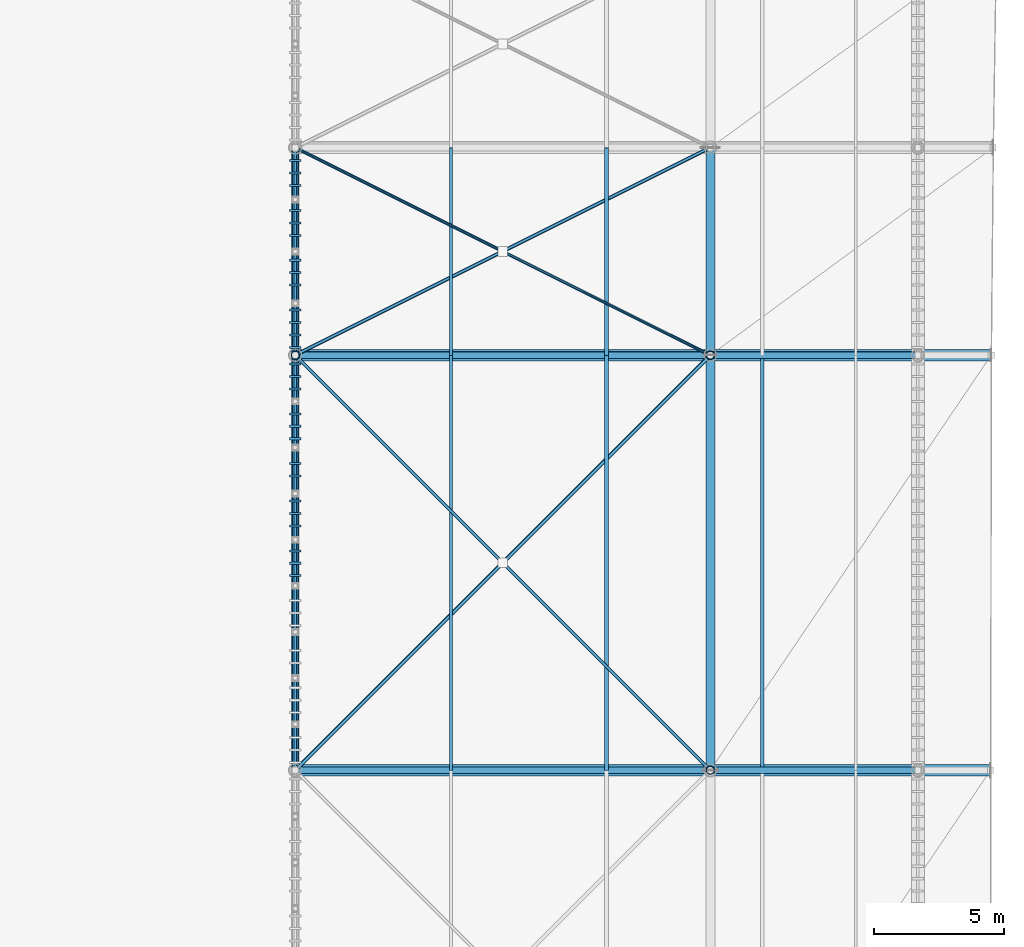
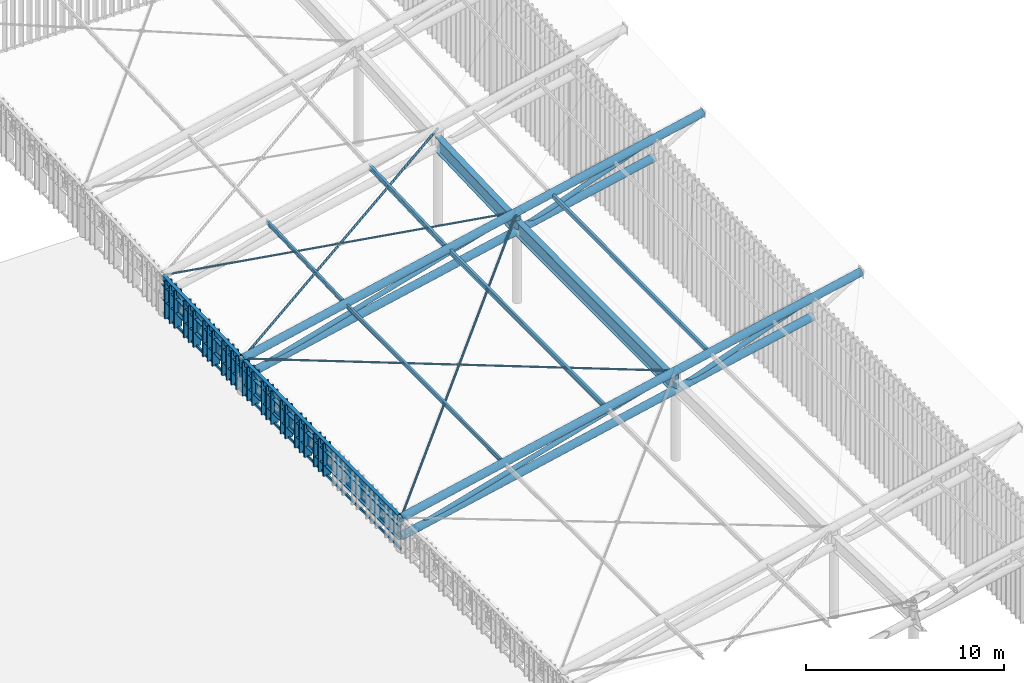
# One storey, part 8 of 25: 51 members, 6 beams.
"""IFC4 building model written with IfcOpenShell, lengths in metres."""

from ifc_helpers import new_model, si_unit, direction, frame, origin, origin_2d, place, context, subcontext, project, spatial, rectangle, hollow_rectangle, hollow_circle, i_section, extrude, material, material_profile, profile_set, type_object, element, save


model = new_model("IFC4")

# Units and contexts
model_context = context("Model", 3, precision=1e-05, world=origin(), true_north=direction((0.0, 1.0)))
body_context = subcontext(model_context, "Body", "Model", "MODEL_VIEW")
ifc_project = project(units=[si_unit("LENGTHUNIT", "METRE"), si_unit("AREAUNIT", "SQUARE_METRE"), si_unit("VOLUMEUNIT", "CUBIC_METRE"), si_unit("PLANEANGLEUNIT", "RADIAN"), si_unit("MASSUNIT", "GRAM", prefix="KILO")], contexts=[model_context])

# Site, building, storey
site_placement = place(None, origin())
site = spatial("IfcSite", under=ifc_project, at=site_placement, CompositionType="ELEMENT")
building_placement = place(site_placement, origin())
building = spatial("IfcBuilding", under=site, at=building_placement, Name="Haebicheon Civic Stadium", CompositionType="ELEMENT")
storey_placement = place(building_placement, frame((0.0, 0.0, 31.199951171875)))
storey = spatial("IfcBuildingStorey", under=building, at=storey_placement, Name="RF", CompositionType="ELEMENT", Elevation=31.199951171875)

# Members
ifc_material_1 = material(Name="White painted steel SM490", Category="steel")
ifc_material_profile_1 = material_profile(ifc_material_1, hollow_circle(Radius=0.05712890625, WallThickness=0.006103515625, at=origin_2d()), Name="CHS-114.3x6.0")
ifc_profile_set_1 = profile_set([ifc_material_profile_1], Name="White painted steel SM490")
member_type_1 = type_object("IfcMemberType", Name="BRC-CHS114", PredefinedType="BRACE", material=ifc_profile_set_1)
for number, where, z_axis, x_axis, name in (
    (1, (48.0, 104.0, 2.0771484375), (0.69951508306, -0.69951508306, 0.146141360135), (0.707106781187, 0.707106781187, 0.0), "BR114 diagonal brace CAN-WEST canopy bay 5 B1"),
    (2, (56.050048828125, 95.949951171875, 3.760009765625), (0.699512886856, -0.699512886856, 0.146162383139), (0.707106781187, 0.707106781187, 0.0), "BR114 diagonal brace CAN-WEST canopy bay 5 B2"),
):
    element("IfcMember", number, at=place(storey_placement, frame(where, z_axis=z_axis, x_axis=x_axis)), inside=storey, type_object=member_type_1, material=ifc_profile_set_1, Name=name, PredefinedType="BRACE", context=body_context, shape_type="SweptSolid", body=[
        extrude(hollow_circle(Radius=0.05712890625, WallThickness=0.006103515625, at=origin_2d()), origin(), (0.0, 0.0, 1.0), 11.364990234375),
    ])
member_1_placement = place(storey_placement, frame((48.0, 112.0, 2.365966796875), z_axis=(0.880872313649, -0.440381965971, 0.173573301791), x_axis=(0.447169574081, 0.894449200355, 0.0)))
element("IfcMember", 3, at=member_1_placement, inside=storey, type_object=member_type_1, material=ifc_profile_set_1, Name="BR114 diagonal brace CAN-WEST canopy bay 6 B1", PredefinedType="BRACE", context=body_context, shape_type="SweptSolid", body=[
    extrude(hollow_circle(Radius=0.05712890625, WallThickness=0.006103515625, at=origin_2d()), origin(), (0.0, 0.0, 1.0), 9.010498046875),
])
member_2_placement = place(storey_placement, frame((56.06298828125, 107.968017578125, 3.9541015625), z_axis=(0.880888880062, -0.440390248159, 0.17346818241), x_axis=(0.447169574081, 0.894449200355, 0.0)))
element("IfcMember", 4, at=member_2_placement, inside=storey, type_object=member_type_1, material=ifc_profile_set_1, Name="BR114 diagonal brace CAN-WEST canopy bay 6 B2", PredefinedType="BRACE", context=body_context, shape_type="SweptSolid", body=[
    extrude(hollow_circle(Radius=0.05712890625, WallThickness=0.006103515625, at=origin_2d()), origin(), (0.0, 0.0, 1.0), 9.01025390625),
])
ifc_material_2 = material(Name="White painted steel SM490", Category="steel")
ifc_material_profile_2 = material_profile(ifc_material_2, hollow_circle(Radius=0.06982421875, WallThickness=0.006591796875, at=origin_2d()), Name="CHS-139.8x6.6")
ifc_profile_set_2 = profile_set([ifc_material_profile_2], Name="White painted steel SM490")
member_type_2 = type_object("IfcMemberType", Name="BRC-CHS139", PredefinedType="BRACE", material=ifc_profile_set_2)
member_3_placement = place(storey_placement, frame((48.0, 88.0, 1.98095703125), z_axis=(0.698627188304, 0.698627188304, 0.154402407767), x_axis=(-0.707106781187, 0.707106781187, 0.0)))
element("IfcMember", 5, at=member_3_placement, inside=storey, type_object=member_type_2, material=ifc_profile_set_2, Name="BR139 diagonal brace CAN-WEST canopy bay 5 A", PredefinedType="BRACE", context=body_context, shape_type="SweptSolid", body=[
    extrude(hollow_circle(Radius=0.06982421875, WallThickness=0.006591796875, at=origin_2d()), origin(), (0.0, 0.0, 1.0), 22.902099609375),
])
member_4_placement = place(storey_placement, frame((48.0, 104.0, 2.0771484375), z_axis=(0.875604965447, 0.437802482723, 0.20407089603), x_axis=(-0.4472135955, 0.894427191, 0.0)))
element("IfcMember", 6, at=member_4_placement, inside=storey, type_object=member_type_2, material=ifc_profile_set_2, Name="BR139 diagonal brace CAN-WEST canopy bay 6 A", PredefinedType="BRACE", context=body_context, shape_type="SweptSolid", body=[
    extrude(hollow_circle(Radius=0.06982421875, WallThickness=0.006591796875, at=origin_2d()), origin(), (0.0, 0.0, 1.0), 18.273193359375),
])
ifc_material_3 = material(Name="White painted steel SM490", Category="steel")
ifc_material_profile_3 = material_profile(ifc_material_3, hollow_circle(Radius=0.1337890625, WallThickness=0.011962890625, at=origin_2d()), Name="CHS-267.4x12.0")
ifc_profile_set_3 = profile_set([ifc_material_profile_3], Name="White painted steel SM490")
member_type_3 = type_object("IfcMemberType", Name="BRC-CHS267", PredefinedType="BRACE", material=ifc_profile_set_3)
member_5_placement = place(storey_placement, frame((48.0, 88.0, 0.8310546875), z_axis=(0.961227278426, 0.0, 0.275757355678), x_axis=(0.0, 1.0, 0.0)))
element("IfcMember", 7, at=member_5_placement, inside=storey, type_object=member_type_3, material=ifc_profile_set_3, Name="BR267 diagonal brace CAN-WEST truss 5 D1", PredefinedType="BRACE", context=body_context, shape_type="SweptSolid", body=[
    extrude(hollow_circle(Radius=0.1337890625, WallThickness=0.011962890625, at=origin_2d()), origin(), (0.0, 0.0, 1.0), 16.6455078125),
])
member_6_placement = place(storey_placement, frame((64.0, 88.0, 4.27099609375), z_axis=(0.941257424358, 0.0, 0.337689888939), x_axis=(0.0, 1.0, 0.0)))
element("IfcMember", 8, at=member_6_placement, inside=storey, type_object=member_type_3, material=ifc_profile_set_3, Name="BR267 diagonal brace CAN-WEST truss 5 D2", PredefinedType="BRACE", context=body_context, shape_type="SweptSolid", body=[
    extrude(hollow_circle(Radius=0.1337890625, WallThickness=0.011962890625, at=origin_2d()), origin(), (0.0, 0.0, 1.0), 8.499267578125),
])
member_7_placement = place(storey_placement, frame((48.0, 104.0, 0.927001953125), z_axis=(0.961227278426, 0.0, 0.275757355678), x_axis=(0.0, 1.0, 0.0)))
element("IfcMember", 9, at=member_7_placement, inside=storey, type_object=member_type_3, material=ifc_profile_set_3, Name="BR267 diagonal brace CAN-WEST truss 6 D1", PredefinedType="BRACE", context=body_context, shape_type="SweptSolid", body=[
    extrude(hollow_circle(Radius=0.1337890625, WallThickness=0.011962890625, at=origin_2d()), origin(), (0.0, 0.0, 1.0), 16.6455078125),
])
member_8_placement = place(storey_placement, frame((64.0, 104.0, 4.366943359375), z_axis=(0.941257424358, 0.0, 0.337689888939), x_axis=(0.0, 1.0, 0.0)))
element("IfcMember", 10, at=member_8_placement, inside=storey, type_object=member_type_3, material=ifc_profile_set_3, Name="BR267 diagonal brace CAN-WEST truss 6 D2", PredefinedType="BRACE", context=body_context, shape_type="SweptSolid", body=[
    extrude(hollow_circle(Radius=0.1337890625, WallThickness=0.011962890625, at=origin_2d()), origin(), (0.0, 0.0, 1.0), 8.499267578125),
])
ifc_material_4 = material(Name="White painted steel SM490", Category="steel")
ifc_material_profile_4 = material_profile(ifc_material_4, hollow_circle(Radius=0.228515625, WallThickness=0.02197265625, at=origin_2d()), Name="CHS-457.2x22.0")
ifc_profile_set_4 = profile_set([ifc_material_profile_4], Name="White painted steel SM490")
member_type_4 = type_object("IfcMemberType", Name="CHD-CHS457", PredefinedType="CHORD", material=ifc_profile_set_4)
member_9_placement = place(storey_placement, frame((48.0, 88.0, 1.98095703125), z_axis=(0.977657640705, 0.0, 0.210203562223), x_axis=(0.0, 1.0, 0.0)))
element("IfcMember", 11, at=member_9_placement, inside=storey, type_object=member_type_4, material=ifc_profile_set_4, Name="CH457 truss chord CAN-WEST 5 top", PredefinedType="CHORD", context=body_context, shape_type="SweptSolid", body=[
    extrude(hollow_circle(Radius=0.228515625, WallThickness=0.02197265625, at=origin_2d()), origin(), (0.0, 0.0, 1.0), 27.41259765625),
])
member_10_placement = place(storey_placement, frame((48.0, 88.0, 0.8310546875), z_axis=(0.977659849808, 0.0, 0.210193287411), x_axis=(0.0, 1.0, 0.0)))
element("IfcMember", 12, at=member_10_placement, inside=storey, type_object=member_type_4, material=ifc_profile_set_4, Name="CH457 truss chord CAN-WEST 5 bottom", PredefinedType="CHORD", context=body_context, shape_type="SweptSolid", body=[
    extrude(hollow_circle(Radius=0.228515625, WallThickness=0.02197265625, at=origin_2d()), origin(), (0.0, 0.0, 1.0), 24.54833984375),
])
member_11_placement = place(storey_placement, frame((48.0, 104.0, 2.0771484375), z_axis=(0.977662999534, 0.0, 0.210178636742), x_axis=(0.0, 1.0, 0.0)))
element("IfcMember", 13, at=member_11_placement, inside=storey, type_object=member_type_4, material=ifc_profile_set_4, Name="CH457 truss chord CAN-WEST 6 top", PredefinedType="CHORD", context=body_context, shape_type="SweptSolid", body=[
    extrude(hollow_circle(Radius=0.228515625, WallThickness=0.02197265625, at=origin_2d()), origin(), (0.0, 0.0, 1.0), 27.437744140625),
])
member_12_placement = place(storey_placement, frame((48.0, 104.0, 0.927001953125), z_axis=(0.977657806038, 0.0, 0.210202793258), x_axis=(0.0, 1.0, 0.0)))
element("IfcMember", 14, at=member_12_placement, inside=storey, type_object=member_type_4, material=ifc_profile_set_4, Name="CH457 truss chord CAN-WEST 6 bottom", PredefinedType="CHORD", context=body_context, shape_type="SweptSolid", body=[
    extrude(hollow_circle(Radius=0.228515625, WallThickness=0.02197265625, at=origin_2d()), origin(), (0.0, 0.0, 1.0), 24.548583984375),
])
ifc_material_5 = material(Name="Acetylated timber GL28h", Category="wood")
ifc_material_profile_5 = material_profile(ifc_material_5, rectangle(XDim=0.080078125, YDim=0.43994140625, at=origin_2d()), Name="TMB-LOUV-80x440")
ifc_profile_set_5 = profile_set([ifc_material_profile_5], Name="Acetylated timber GL28h")
member_type_5 = type_object("IfcMemberType", Name="CRN-LVR-440x80", PredefinedType="PLATE", material=ifc_profile_set_5)
member_13_placement = place(storey_placement, frame((48.0, 95.5, 0.050048828125), z_axis=(0.0, 0.0, 1.0), x_axis=(0.0, 1.0, 0.0)))
element("IfcMember", 15, at=member_13_placement, inside=storey, type_object=member_type_5, material=ifc_profile_set_5, Name="Crown wind-baffle slat W.5.16", PredefinedType="PLATE", context=body_context, shape_type="SweptSolid", body=[
    extrude(rectangle(XDim=0.080078125, YDim=0.43994140625, at=origin_2d()), origin(), (0.0, 0.0, 1.0), 2.0048828125),
])
member_14_placement = place(storey_placement, frame((48.0, 95.97998046875, 0.050048828125), z_axis=(0.0, 0.0, 1.0), x_axis=(0.0, 1.0, 0.0)))
element("IfcMember", 16, at=member_14_placement, inside=storey, type_object=member_type_5, material=ifc_profile_set_5, Name="Crown wind-baffle slat W.5.17", PredefinedType="PLATE", context=body_context, shape_type="SweptSolid", body=[
    extrude(rectangle(XDim=0.080078125, YDim=0.43994140625, at=origin_2d()), origin(), (0.0, 0.0, 1.0), 2.008056640625),
])
member_15_placement = place(storey_placement, frame((48.0, 96.4599609375, 0.050048828125), z_axis=(0.0, 0.0, 1.0), x_axis=(0.0, 1.0, 0.0)))
element("IfcMember", 17, at=member_15_placement, inside=storey, type_object=member_type_5, material=ifc_profile_set_5, Name="Crown wind-baffle slat W.5.18", PredefinedType="PLATE", context=body_context, shape_type="SweptSolid", body=[
    extrude(rectangle(XDim=0.080078125, YDim=0.43994140625, at=origin_2d()), origin(), (0.0, 0.0, 1.0), 2.010986328125),
])
member_16_placement = place(storey_placement, frame((48.0, 97.419921875, 0.050048828125), z_axis=(0.0, 0.0, 1.0), x_axis=(0.0, 1.0, 0.0)))
element("IfcMember", 18, at=member_16_placement, inside=storey, type_object=member_type_5, material=ifc_profile_set_5, Name="Crown wind-baffle slat W.5.20", PredefinedType="PLATE", context=body_context, shape_type="SweptSolid", body=[
    extrude(rectangle(XDim=0.080078125, YDim=0.43994140625, at=origin_2d()), origin(), (0.0, 0.0, 1.0), 2.01708984375),
])
member_17_placement = place(storey_placement, frame((48.0, 97.89990234375, 0.050048828125), z_axis=(0.0, 0.0, 1.0), x_axis=(0.0, 1.0, 0.0)))
element("IfcMember", 19, at=member_17_placement, inside=storey, type_object=member_type_5, material=ifc_profile_set_5, Name="Crown wind-baffle slat W.5.21", PredefinedType="PLATE", context=body_context, shape_type="SweptSolid", body=[
    extrude(rectangle(XDim=0.080078125, YDim=0.43994140625, at=origin_2d()), origin(), (0.0, 0.0, 1.0), 2.01904296875),
])
member_18_placement = place(storey_placement, frame((48.0, 98.3798828125, 0.050048828125), z_axis=(0.0, 0.0, 1.0), x_axis=(0.0, 1.0, 0.0)))
element("IfcMember", 20, at=member_18_placement, inside=storey, type_object=member_type_5, material=ifc_profile_set_5, Name="Crown wind-baffle slat W.5.22", PredefinedType="PLATE", context=body_context, shape_type="SweptSolid", body=[
    extrude(rectangle(XDim=0.080078125, YDim=0.43994140625, at=origin_2d()), origin(), (0.0, 0.0, 1.0), 2.02197265625),
])
member_19_placement = place(storey_placement, frame((48.0, 99.340087890625, 0.050048828125), z_axis=(0.0, 0.0, 1.0), x_axis=(0.0, 1.0, 0.0)))
element("IfcMember", 21, at=member_19_placement, inside=storey, type_object=member_type_5, material=ifc_profile_set_5, Name="Crown wind-baffle slat W.5.24", PredefinedType="PLATE", context=body_context, shape_type="SweptSolid", body=[
    extrude(rectangle(XDim=0.080078125, YDim=0.43994140625, at=origin_2d()), origin(), (0.0, 0.0, 1.0), 2.028076171875),
])
member_20_placement = place(storey_placement, frame((48.0, 99.820068359375, 0.050048828125), z_axis=(0.0, 0.0, 1.0), x_axis=(0.0, 1.0, 0.0)))
element("IfcMember", 22, at=member_20_placement, inside=storey, type_object=member_type_5, material=ifc_profile_set_5, Name="Crown wind-baffle slat W.5.25", PredefinedType="PLATE", context=body_context, shape_type="SweptSolid", body=[
    extrude(rectangle(XDim=0.080078125, YDim=0.43994140625, at=origin_2d()), origin(), (0.0, 0.0, 1.0), 2.031005859375),
])
member_21_placement = place(storey_placement, frame((48.0, 100.780029296875, 0.050048828125), z_axis=(0.0, 0.0, 1.0), x_axis=(0.0, 1.0, 0.0)))
element("IfcMember", 23, at=member_21_placement, inside=storey, type_object=member_type_5, material=ifc_profile_set_5, Name="Crown wind-baffle slat W.5.27", PredefinedType="PLATE", context=body_context, shape_type="SweptSolid", body=[
    extrude(rectangle(XDim=0.080078125, YDim=0.43994140625, at=origin_2d()), origin(), (0.0, 0.0, 1.0), 2.037109375),
])
member_22_placement = place(storey_placement, frame((48.0, 101.260009765625, 0.050048828125), z_axis=(0.0, 0.0, 1.0), x_axis=(0.0, 1.0, 0.0)))
element("IfcMember", 24, at=member_22_placement, inside=storey, type_object=member_type_5, material=ifc_profile_set_5, Name="Crown wind-baffle slat W.5.28", PredefinedType="PLATE", context=body_context, shape_type="SweptSolid", body=[
    extrude(rectangle(XDim=0.080078125, YDim=0.43994140625, at=origin_2d()), origin(), (0.0, 0.0, 1.0), 2.0400390625),
])
member_23_placement = place(storey_placement, frame((48.0, 101.739990234375, 0.050048828125), z_axis=(0.0, 0.0, 1.0), x_axis=(0.0, 1.0, 0.0)))
element("IfcMember", 25, at=member_23_placement, inside=storey, type_object=member_type_5, material=ifc_profile_set_5, Name="Crown wind-baffle slat W.5.29", PredefinedType="PLATE", context=body_context, shape_type="SweptSolid", body=[
    extrude(rectangle(XDim=0.080078125, YDim=0.43994140625, at=origin_2d()), origin(), (0.0, 0.0, 1.0), 2.0419921875),
])
member_24_placement = place(storey_placement, frame((48.0, 102.699951171875, 0.050048828125), z_axis=(0.0, 0.0, 1.0), x_axis=(0.0, 1.0, 0.0)))
element("IfcMember", 26, at=member_24_placement, inside=storey, type_object=member_type_5, material=ifc_profile_set_5, Name="Crown wind-baffle slat W.5.31", PredefinedType="PLATE", context=body_context, shape_type="SweptSolid", body=[
    extrude(rectangle(XDim=0.080078125, YDim=0.43994140625, at=origin_2d()), origin(), (0.0, 0.0, 1.0), 2.048095703125),
])
member_25_placement = place(storey_placement, frame((48.0, 103.179931640625, 0.050048828125), z_axis=(0.0, 0.0, 1.0), x_axis=(0.0, 1.0, 0.0)))
element("IfcMember", 27, at=member_25_placement, inside=storey, type_object=member_type_5, material=ifc_profile_set_5, Name="Crown wind-baffle slat W.5.32", PredefinedType="PLATE", context=body_context, shape_type="SweptSolid", body=[
    extrude(rectangle(XDim=0.080078125, YDim=0.43994140625, at=origin_2d()), origin(), (0.0, 0.0, 1.0), 2.051025390625),
])
member_26_placement = place(storey_placement, frame((48.0, 103.659912109375, 0.050048828125), z_axis=(0.0, 0.0, 1.0), x_axis=(0.0, 1.0, 0.0)))
element("IfcMember", 28, at=member_26_placement, inside=storey, type_object=member_type_5, material=ifc_profile_set_5, Name="Crown wind-baffle slat W.5.33", PredefinedType="PLATE", context=body_context, shape_type="SweptSolid", body=[
    extrude(rectangle(XDim=0.080078125, YDim=0.43994140625, at=origin_2d()), origin(), (0.0, 0.0, 1.0), 2.053955078125),
])
member_27_placement = place(storey_placement, frame((48.0, 104.300048828125, 0.050048828125), z_axis=(0.0, 0.0, 1.0), x_axis=(0.0, 1.0, 0.0)))
element("IfcMember", 29, at=member_27_placement, inside=storey, type_object=member_type_5, material=ifc_profile_set_5, Name="Crown wind-baffle slat W.6.1", PredefinedType="PLATE", context=body_context, shape_type="SweptSolid", body=[
    extrude(rectangle(XDim=0.080078125, YDim=0.43994140625, at=origin_2d()), origin(), (0.0, 0.0, 1.0), 2.06689453125),
])
member_28_placement = place(storey_placement, frame((48.0, 104.780029296875, 0.050048828125), z_axis=(0.0, 0.0, 1.0), x_axis=(0.0, 1.0, 0.0)))
element("IfcMember", 30, at=member_28_placement, inside=storey, type_object=member_type_5, material=ifc_profile_set_5, Name="Crown wind-baffle slat W.6.2", PredefinedType="PLATE", context=body_context, shape_type="SweptSolid", body=[
    extrude(rectangle(XDim=0.080078125, YDim=0.43994140625, at=origin_2d()), origin(), (0.0, 0.0, 1.0), 2.083984375),
])
member_29_placement = place(storey_placement, frame((48.0, 105.260009765625, 0.050048828125), z_axis=(0.0, 0.0, 1.0), x_axis=(0.0, 1.0, 0.0)))
element("IfcMember", 31, at=member_29_placement, inside=storey, type_object=member_type_5, material=ifc_profile_set_5, Name="Crown wind-baffle slat W.6.3", PredefinedType="PLATE", context=body_context, shape_type="SweptSolid", body=[
    extrude(rectangle(XDim=0.080078125, YDim=0.43994140625, at=origin_2d()), origin(), (0.0, 0.0, 1.0), 2.10205078125),
])
member_30_placement = place(storey_placement, frame((48.0, 105.739990234375, 0.050048828125), z_axis=(0.0, 0.0, 1.0), x_axis=(0.0, 1.0, 0.0)))
element("IfcMember", 32, at=member_30_placement, inside=storey, type_object=member_type_5, material=ifc_profile_set_5, Name="Crown wind-baffle slat W.6.4", PredefinedType="PLATE", context=body_context, shape_type="SweptSolid", body=[
    extrude(rectangle(XDim=0.080078125, YDim=0.43994140625, at=origin_2d()), origin(), (0.0, 0.0, 1.0), 2.118896484375),
])
member_31_placement = place(storey_placement, frame((48.0, 106.699951171875, 0.050048828125), z_axis=(0.0, 0.0, 1.0), x_axis=(0.0, 1.0, 0.0)))
element("IfcMember", 33, at=member_31_placement, inside=storey, type_object=member_type_5, material=ifc_profile_set_5, Name="Crown wind-baffle slat W.6.6", PredefinedType="PLATE", context=body_context, shape_type="SweptSolid", body=[
    extrude(rectangle(XDim=0.080078125, YDim=0.43994140625, at=origin_2d()), origin(), (0.0, 0.0, 1.0), 2.154052734375),
])
member_32_placement = place(storey_placement, frame((48.0, 107.179931640625, 0.050048828125), z_axis=(0.0, 0.0, 1.0), x_axis=(0.0, 1.0, 0.0)))
element("IfcMember", 34, at=member_32_placement, inside=storey, type_object=member_type_5, material=ifc_profile_set_5, Name="Crown wind-baffle slat W.6.7", PredefinedType="PLATE", context=body_context, shape_type="SweptSolid", body=[
    extrude(rectangle(XDim=0.080078125, YDim=0.43994140625, at=origin_2d()), origin(), (0.0, 0.0, 1.0), 2.1708984375),
])
member_33_placement = place(storey_placement, frame((48.0, 107.659912109375, 0.050048828125), z_axis=(0.0, 0.0, 1.0), x_axis=(0.0, 1.0, 0.0)))
element("IfcMember", 35, at=member_33_placement, inside=storey, type_object=member_type_5, material=ifc_profile_set_5, Name="Crown wind-baffle slat W.6.8", PredefinedType="PLATE", context=body_context, shape_type="SweptSolid", body=[
    extrude(rectangle(XDim=0.080078125, YDim=0.43994140625, at=origin_2d()), origin(), (0.0, 0.0, 1.0), 2.18798828125),
])
member_34_placement = place(storey_placement, frame((48.0, 108.6201171875, 0.050048828125), z_axis=(0.0, 0.0, 1.0), x_axis=(0.0, 1.0, 0.0)))
element("IfcMember", 36, at=member_34_placement, inside=storey, type_object=member_type_5, material=ifc_profile_set_5, Name="Crown wind-baffle slat W.6.10", PredefinedType="PLATE", context=body_context, shape_type="SweptSolid", body=[
    extrude(rectangle(XDim=0.080078125, YDim=0.43994140625, at=origin_2d()), origin(), (0.0, 0.0, 1.0), 2.222900390625),
])
member_35_placement = place(storey_placement, frame((48.0, 109.10009765625, 0.050048828125), z_axis=(0.0, 0.0, 1.0), x_axis=(0.0, 1.0, 0.0)))
element("IfcMember", 37, at=member_35_placement, inside=storey, type_object=member_type_5, material=ifc_profile_set_5, Name="Crown wind-baffle slat W.6.11", PredefinedType="PLATE", context=body_context, shape_type="SweptSolid", body=[
    extrude(rectangle(XDim=0.080078125, YDim=0.43994140625, at=origin_2d()), origin(), (0.0, 0.0, 1.0), 2.239990234375),
])
member_36_placement = place(storey_placement, frame((48.0, 109.580078125, 0.050048828125), z_axis=(0.0, 0.0, 1.0), x_axis=(0.0, 1.0, 0.0)))
element("IfcMember", 38, at=member_36_placement, inside=storey, type_object=member_type_5, material=ifc_profile_set_5, Name="Crown wind-baffle slat W.6.12", PredefinedType="PLATE", context=body_context, shape_type="SweptSolid", body=[
    extrude(rectangle(XDim=0.080078125, YDim=0.43994140625, at=origin_2d()), origin(), (0.0, 0.0, 1.0), 2.258056640625),
])
member_37_placement = place(storey_placement, frame((48.0, 110.5400390625, 0.050048828125), z_axis=(0.0, 0.0, 1.0), x_axis=(0.0, 1.0, 0.0)))
element("IfcMember", 39, at=member_37_placement, inside=storey, type_object=member_type_5, material=ifc_profile_set_5, Name="Crown wind-baffle slat W.6.14", PredefinedType="PLATE", context=body_context, shape_type="SweptSolid", body=[
    extrude(rectangle(XDim=0.080078125, YDim=0.43994140625, at=origin_2d()), origin(), (0.0, 0.0, 1.0), 2.2919921875),
])
member_38_placement = place(storey_placement, frame((48.0, 111.02001953125, 0.050048828125), z_axis=(0.0, 0.0, 1.0), x_axis=(0.0, 1.0, 0.0)))
element("IfcMember", 40, at=member_38_placement, inside=storey, type_object=member_type_5, material=ifc_profile_set_5, Name="Crown wind-baffle slat W.6.15", PredefinedType="PLATE", context=body_context, shape_type="SweptSolid", body=[
    extrude(rectangle(XDim=0.080078125, YDim=0.43994140625, at=origin_2d()), origin(), (0.0, 0.0, 1.0), 2.31005859375),
])
member_39_placement = place(storey_placement, frame((48.0, 111.5, 0.050048828125), z_axis=(0.0, 0.0, 1.0), x_axis=(0.0, 1.0, 0.0)))
element("IfcMember", 41, at=member_39_placement, inside=storey, type_object=member_type_5, material=ifc_profile_set_5, Name="Crown wind-baffle slat W.6.16", PredefinedType="PLATE", context=body_context, shape_type="SweptSolid", body=[
    extrude(rectangle(XDim=0.080078125, YDim=0.43994140625, at=origin_2d()), origin(), (0.0, 0.0, 1.0), 2.326904296875),
])
ifc_material_6 = material(Name="White painted steel SM490", Category="steel")
ifc_material_profile_6 = material_profile(ifc_material_6, hollow_rectangle(XDim=0.14990234375, YDim=0.25, WallThickness=0.010009765625, at=origin_2d()), Name="RHS-250x150x10.0")
ifc_profile_set_6 = profile_set([ifc_material_profile_6], Name="White painted steel SM490")
member_type_6 = type_object("IfcMemberType", Name="PRL-RHS250", PredefinedType="PURLIN", material=ifc_profile_set_6)
member_40_placement = place(storey_placement, frame((66.0, 88.0, 5.81005859375), z_axis=(0.0, 0.999982020255, 0.005996596282), x_axis=(-1.0, 0.0, 0.0)))
element("IfcMember", 42, at=member_40_placement, inside=storey, type_object=member_type_6, material=ifc_profile_set_6, Name="CAN-WEST canopy purlin bay 5 (75%)", PredefinedType="PURLIN", context=body_context, shape_type="SweptSolid", body=[
    extrude(hollow_rectangle(XDim=0.14990234375, YDim=0.25, WallThickness=0.010009765625, at=origin_2d()), origin(), (0.0, 0.0, 1.0), 16.000244140625),
])
ifc_material_7 = material(Name="White painted steel SM490", Category="steel")
ifc_material_profile_7 = material_profile(ifc_material_7, i_section(OverallWidth=0.125, OverallDepth=0.25, WebThickness=0.006103515625, FlangeThickness=0.009033203125, at=origin_2d()), Name="H-250x125x6x9")
ifc_profile_set_7 = profile_set([ifc_material_profile_7], Name="White painted steel SM490")
member_type_7 = type_object("IfcMemberType", Name="PRL-ST-H250", PredefinedType="PURLIN", material=ifc_profile_set_7)
member_41_placement = place(storey_placement, frame((54.0, 88.0, 3.22998046875), z_axis=(0.0, 0.999982020255, 0.005996596282), x_axis=(-1.0, 0.0, 0.0)))
element("IfcMember", 43, at=member_41_placement, inside=storey, type_object=member_type_7, material=ifc_profile_set_7, Name="CAN-WEST canopy purlin bay 5 (25%)", PredefinedType="PURLIN", context=body_context, shape_type="SweptSolid", body=[
    extrude(i_section(OverallWidth=0.125, OverallDepth=0.25, WebThickness=0.006103515625, FlangeThickness=0.009033203125, at=origin_2d()), origin(), (0.0, 0.0, 1.0), 16.000244140625),
])
member_42_placement = place(storey_placement, frame((54.0, 104.0, 3.325927734375), z_axis=(0.0, 0.999347848438, 0.03610924843), x_axis=(-1.0, 0.0, 0.0)))
element("IfcMember", 44, at=member_42_placement, inside=storey, type_object=member_type_7, material=ifc_profile_set_7, Name="CAN-WEST canopy purlin bay 6 (25%)", PredefinedType="PURLIN", context=body_context, shape_type="SweptSolid", body=[
    extrude(i_section(OverallWidth=0.125, OverallDepth=0.25, WebThickness=0.006103515625, FlangeThickness=0.009033203125, at=origin_2d()), origin(), (0.0, 0.0, 1.0), 8.005126953125),
])
ifc_material_8 = material(Name="White painted steel SM490", Category="steel")
ifc_material_profile_8 = material_profile(ifc_material_8, i_section(OverallWidth=0.14990234375, OverallDepth=0.300048828125, WebThickness=0.006591796875, FlangeThickness=0.009033203125, at=origin_2d()), Name="H-300x150x6.5x9")
ifc_profile_set_8 = profile_set([ifc_material_profile_8], Name="White painted steel SM490")
member_type_8 = type_object("IfcMemberType", Name="PRL-ST-H300", PredefinedType="PURLIN", material=ifc_profile_set_8)
member_43_placement = place(storey_placement, frame((60.0, 88.0, 4.4951171875), z_axis=(0.0, 0.999982020255, 0.005996596282), x_axis=(-1.0, 0.0, 0.0)))
element("IfcMember", 45, at=member_43_placement, inside=storey, type_object=member_type_8, material=ifc_profile_set_8, Name="CAN-WEST canopy purlin bay 5 (50%)", PredefinedType="PURLIN", context=body_context, shape_type="SweptSolid", body=[
    extrude(i_section(OverallWidth=0.14990234375, OverallDepth=0.300048828125, WebThickness=0.006591796875, FlangeThickness=0.009033203125, at=origin_2d()), origin(), (0.0, 0.0, 1.0), 16.000244140625),
])
member_44_placement = place(storey_placement, frame((60.0, 104.0, 4.591064453125), z_axis=(0.0, 0.999347848438, 0.03610924843), x_axis=(-1.0, 0.0, 0.0)))
element("IfcMember", 46, at=member_44_placement, inside=storey, type_object=member_type_8, material=ifc_profile_set_8, Name="CAN-WEST canopy purlin bay 6 (50%)", PredefinedType="PURLIN", context=body_context, shape_type="SweptSolid", body=[
    extrude(i_section(OverallWidth=0.14990234375, OverallDepth=0.300048828125, WebThickness=0.006591796875, FlangeThickness=0.009033203125, at=origin_2d()), origin(), (0.0, 0.0, 1.0), 8.005126953125),
])

# Beams
ifc_material_9 = material(Name="White painted steel SM490", Category="steel")
ifc_material_profile_9 = material_profile(ifc_material_9, i_section(OverallWidth=0.35009765625, OverallDepth=0.89990234375, WebThickness=0.01806640625, FlangeThickness=0.031982421875, at=origin_2d()), Name="H-900x350x18x32")
ifc_profile_set_9 = profile_set([ifc_material_profile_9], Name="White painted steel SM490")
beam_type_1 = type_object("IfcBeamType", Name="RB-ST-H900A", PredefinedType="USERDEFINED", material=ifc_profile_set_9)
beam_1_placement = place(storey_placement, frame((64.0, 88.0, 4.52099609375), z_axis=(0.0, 0.999982020255, 0.005996596282), x_axis=(-1.0, 0.0, 0.0)))
element("IfcBeam", 47, at=beam_1_placement, inside=storey, type_object=beam_type_1, material=ifc_profile_set_9, Name="CAN-WEST polygonal ring beam RB-PIV bay 5", ObjectType="RING BEAM", PredefinedType="USERDEFINED", context=body_context, shape_type="SweptSolid", body=[
    extrude(i_section(OverallWidth=0.35009765625, OverallDepth=0.89990234375, WebThickness=0.01806640625, FlangeThickness=0.031982421875, at=origin_2d()), origin(), (0.0, 0.0, 1.0), 16.000244140625),
])
beam_2_placement = place(storey_placement, frame((64.0, 104.0, 4.616943359375), z_axis=(0.0, 0.999347848438, 0.03610924843), x_axis=(-1.0, 0.0, 0.0)))
element("IfcBeam", 48, at=beam_2_placement, inside=storey, type_object=beam_type_1, material=ifc_profile_set_9, Name="CAN-WEST polygonal ring beam RB-PIV bay 6", ObjectType="RING BEAM", PredefinedType="USERDEFINED", context=body_context, shape_type="SweptSolid", body=[
    extrude(i_section(OverallWidth=0.35009765625, OverallDepth=0.89990234375, WebThickness=0.01806640625, FlangeThickness=0.031982421875, at=origin_2d()), origin(), (0.0, 0.0, 1.0), 8.005126953125),
])
ifc_material_10 = material(Name="White painted steel SM490", Category="steel")
ifc_material_profile_10 = material_profile(ifc_material_10, i_section(OverallWidth=0.300048828125, OverallDepth=0.89990234375, WebThickness=0.01611328125, FlangeThickness=0.028076171875, at=origin_2d()), Name="H-900x300x16x28")
ifc_profile_set_10 = profile_set([ifc_material_profile_10], Name="White painted steel SM490")
beam_type_2 = type_object("IfcBeamType", Name="RB-ST-H900B", PredefinedType="USERDEFINED", material=ifc_profile_set_10)
beam_3_placement = place(storey_placement, frame((48.0, 88.0, 1.0810546875), z_axis=(0.0, 0.999982020255, 0.005996596282), x_axis=(-1.0, 0.0, 0.0)))
element("IfcBeam", 49, at=beam_3_placement, inside=storey, type_object=beam_type_2, material=ifc_profile_set_10, Name="CAN-WEST polygonal ring beam RB-BCK bay 5", ObjectType="RING BEAM", PredefinedType="USERDEFINED", context=body_context, shape_type="SweptSolid", body=[
    extrude(i_section(OverallWidth=0.300048828125, OverallDepth=0.89990234375, WebThickness=0.01611328125, FlangeThickness=0.028076171875, at=origin_2d()), origin(), (0.0, 0.0, 1.0), 16.000244140625),
])
beam_4_placement = place(storey_placement, frame((48.0, 104.0, 1.177001953125), z_axis=(0.0, 0.999347848438, 0.03610924843), x_axis=(-1.0, 0.0, 0.0)))
element("IfcBeam", 50, at=beam_4_placement, inside=storey, type_object=beam_type_2, material=ifc_profile_set_10, Name="CAN-WEST polygonal ring beam RB-BCK bay 6", ObjectType="RING BEAM", PredefinedType="USERDEFINED", context=body_context, shape_type="SweptSolid", body=[
    extrude(i_section(OverallWidth=0.300048828125, OverallDepth=0.89990234375, WebThickness=0.01611328125, FlangeThickness=0.028076171875, at=origin_2d()), origin(), (0.0, 0.0, 1.0), 8.005126953125),
])
ifc_material_11 = material(Name="White painted steel SM490", Category="steel")
ifc_material_profile_11 = material_profile(ifc_material_11, hollow_rectangle(XDim=0.199951171875, YDim=0.300048828125, WallThickness=0.011962890625, at=origin_2d()), Name="RHS-300x200x12.0")
ifc_profile_set_11 = profile_set([ifc_material_profile_11], Name="White painted steel SM490")
beam_type_3 = type_object("IfcBeamType", Name="RB-ST-RHS300", PredefinedType="USERDEFINED", material=ifc_profile_set_11)
beam_5_placement = place(storey_placement, frame((48.0, 88.0, 1.881103515625), z_axis=(0.0, 0.999982020255, 0.005996596282), x_axis=(-1.0, 0.0, 0.0)))
element("IfcBeam", 51, at=beam_5_placement, inside=storey, type_object=beam_type_3, material=ifc_profile_set_11, Name="CAN-WEST polygonal ring beam RB-TOP bay 5", ObjectType="RING BEAM", PredefinedType="USERDEFINED", context=body_context, shape_type="SweptSolid", body=[
    extrude(hollow_rectangle(XDim=0.199951171875, YDim=0.300048828125, WallThickness=0.011962890625, at=origin_2d()), origin(), (0.0, 0.0, 1.0), 16.000244140625),
])
beam_6_placement = place(storey_placement, frame((48.0, 104.0, 1.97705078125), z_axis=(0.0, 0.999347848438, 0.03610924843), x_axis=(-1.0, 0.0, 0.0)))
element("IfcBeam", 52, at=beam_6_placement, inside=storey, type_object=beam_type_3, material=ifc_profile_set_11, Name="CAN-WEST polygonal ring beam RB-TOP bay 6", ObjectType="RING BEAM", PredefinedType="USERDEFINED", context=body_context, shape_type="SweptSolid", body=[
    extrude(hollow_rectangle(XDim=0.199951171875, YDim=0.300048828125, WallThickness=0.011962890625, at=origin_2d()), origin(), (0.0, 0.0, 1.0), 8.005126953125),
])

# Members
ifc_material_12 = material(Name="White painted steel SM490", Category="steel")
ifc_material_profile_12 = material_profile(ifc_material_12, hollow_circle(Radius=0.1591796875, WallThickness=0.013916015625, at=origin_2d()), Name="CHS-318.5x14.0")
ifc_profile_set_12 = profile_set([ifc_material_profile_12], Name="White painted steel SM490")
member_type_9 = type_object("IfcMemberType", Name="STR-CHS318", PredefinedType="STRUT", material=ifc_profile_set_12)
for number, where, z_axis, x_axis, name in (
    (53, (64.0, 88.0, 4.27099609375), (0.0, 0.0, 1.0), (1.0, 0.0, 0.0), "ST318 web strut CAN-WEST truss 5 VP"),
    (54, (48.0, 104.0, 0.927001953125), (0.0, 0.0, 1.0), (1.0, 0.0, 0.0), "ST318 web strut CAN-WEST truss 6 VB"),
    (55, (64.0, 104.0, 4.366943359375), (0.0, 0.0, 1.0), (1.0, 0.0, 0.0), "ST318 web strut CAN-WEST truss 6 VP"),
):
    element("IfcMember", number, at=place(storey_placement, frame(where, z_axis=z_axis, x_axis=x_axis)), inside=storey, type_object=member_type_9, material=ifc_profile_set_12, Name=name, PredefinedType="STRUT", context=body_context, shape_type="SweptSolid", body=[
        extrude(hollow_circle(Radius=0.1591796875, WallThickness=0.013916015625, at=origin_2d()), origin(), (0.0, 0.0, 1.0), 1.150146484375),
    ])
ifc_material_13 = material(Name="Steel SM355 (S355)", Category="steel")
ifc_material_profile_13 = material_profile(ifc_material_13, hollow_rectangle(XDim=0.10009765625, YDim=0.14990234375, WallThickness=0.006103515625, at=origin_2d()), Name="RHS-150x100x6.0")
ifc_profile_set_13 = profile_set([ifc_material_profile_13], Name="Steel SM355 (S355)")
member_type_10 = type_object("IfcMemberType", Name="SUB-RHS150", PredefinedType="STRINGER", material=ifc_profile_set_13)
member_45_placement = place(storey_placement, frame((48.0, 88.0, 0.050048828125), z_axis=(0.0, 1.0, 0.0), x_axis=(-1.0, 0.0, 0.0)))
element("IfcMember", 56, at=member_45_placement, inside=storey, type_object=member_type_10, material=ifc_profile_set_13, Name="Crown baffle bottom rail W.5", PredefinedType="STRINGER", context=body_context, shape_type="SweptSolid", body=[
    extrude(hollow_rectangle(XDim=0.10009765625, YDim=0.14990234375, WallThickness=0.006103515625, at=origin_2d()), origin(), (0.0, 0.0, 1.0), 16.0),
])
member_46_placement = place(storey_placement, frame((48.0, 104.0, 0.050048828125), z_axis=(0.0, 1.0, 0.0), x_axis=(-1.0, 0.0, 0.0)))
element("IfcMember", 57, at=member_46_placement, inside=storey, type_object=member_type_10, material=ifc_profile_set_13, Name="Crown baffle bottom rail W.6", PredefinedType="STRINGER", context=body_context, shape_type="SweptSolid", body=[
    extrude(hollow_rectangle(XDim=0.10009765625, YDim=0.14990234375, WallThickness=0.006103515625, at=origin_2d()), origin(), (0.0, 0.0, 1.0), 8.0),
])

save(model, "model.ifc")
